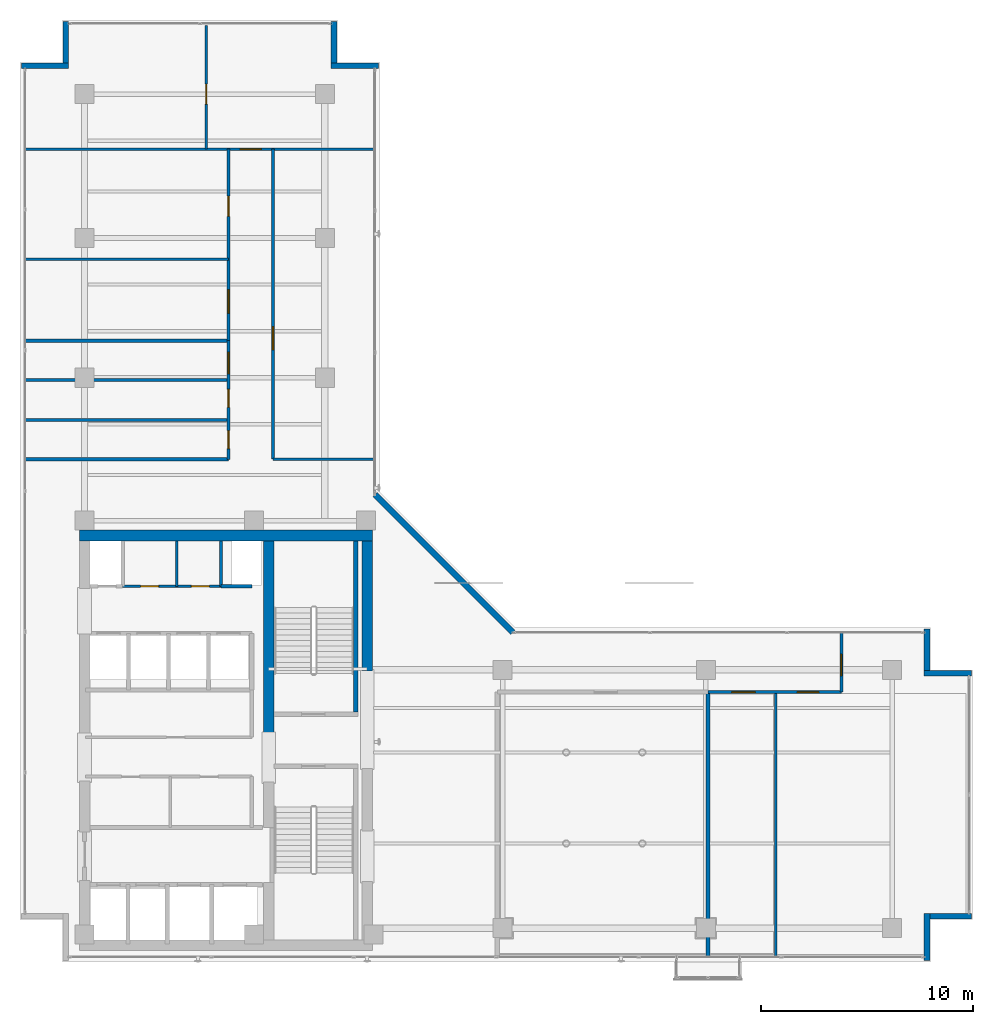
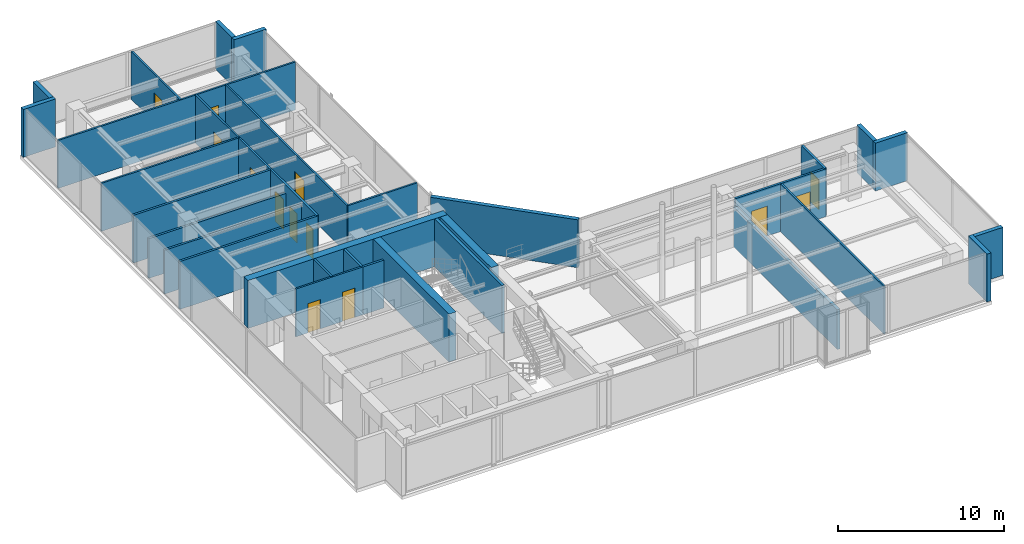
# One storey, part 26 of 32: 32 walls, 13 doors, 13 openings.
"""IFC4 building model written with IfcOpenShell, lengths in metres."""

from ifc_helpers import new_model, si_unit, direction, frame, frame_2d, origin, place, context, subcontext, project, spatial, rectangle, extrude, material, layer, layer_set, type_object, element, fill, save


model = new_model("IFC4")

# Units and contexts
model_context = context("Model", 3, precision=1e-05, world=origin(), true_north=direction((0.0, 1.0)))
body_context = subcontext(model_context, "Body", "Model", "MODEL_VIEW")
ifc_project = project(units=[si_unit("LENGTHUNIT", "METRE"), si_unit("AREAUNIT", "SQUARE_METRE"), si_unit("VOLUMEUNIT", "CUBIC_METRE"), si_unit("PLANEANGLEUNIT", "RADIAN"), si_unit("MASSUNIT", "GRAM", prefix="KILO")], contexts=[model_context])

# Site, building, storey
site_placement = place(None, origin())
site = spatial("IfcSite", under=ifc_project, at=site_placement, CompositionType="ELEMENT")
building_placement = place(site_placement, origin())
building = spatial("IfcBuilding", under=site, at=building_placement, Name="Kolvaren Waterfront Exchange", CompositionType="ELEMENT")
storey_placement = place(building_placement, frame((0.0, 0.0, 348.10009765625)))
storey = spatial("IfcBuildingStorey", under=building, at=storey_placement, Name="L89", CompositionType="ELEMENT", Elevation=348.10009765625)

# Walls
ifc_material_1 = material(Name="Precast concrete C40/50", Category="concrete")
ifc_layer_1 = layer(ifc_material_1, 0.280029296875, Name="Precast concrete C40/50")
ifc_layer_set_1 = layer_set([ifc_layer_1], Name="Precast concrete C40/50")
wall_type_1 = type_object("IfcWallType", Name="ARC-EXT-TERR-280", PredefinedType="SOLIDWALL", material=ifc_layer_set_1)
wall_1_placement = place(storey_placement, frame((47.239990234375, 3.659912109375, 0.0), z_axis=(0.0, 0.0, 1.0), x_axis=(0.0, 1.0, 0.0)))
element("IfcWall", 1, at=wall_1_placement, inside=storey, type_object=wall_type_1, Name="L89 notched corner spandrel pier SE-A", PredefinedType="SOLIDWALL", context=body_context, shape_type="SweptSolid", body=[
    extrude(rectangle(XDim=2.239990234375, YDim=0.280029296875, at=frame_2d((1.1201171875, 0.0))), origin(), (0.0, 0.0, 1.0), 3.52001953125),
])
wall_2_placement = place(storey_placement, frame((47.3798828125, 5.760009765625, 0.0), z_axis=(0.0, 0.0, 1.0), x_axis=(1.0, 0.0, 0.0)))
element("IfcWall", 2, at=wall_2_placement, inside=storey, type_object=wall_type_1, Name="L89 notched corner spandrel pier SE-B", PredefinedType="SOLIDWALL", context=body_context, shape_type="SweptSolid", body=[
    extrude(rectangle(XDim=1.960205078125, YDim=0.280029296875, at=frame_2d((0.97998046875, 0.0))), origin(), (0.0, 0.0, 1.0), 3.52001953125),
])
wall_3_placement = place(storey_placement, frame((47.239990234375, 17.364990234375, 0.0), z_axis=(0.0, 0.0, 1.0), x_axis=(0.0, 1.0, 0.0)))
element("IfcWall", 3, at=wall_3_placement, inside=storey, type_object=wall_type_1, Name="L89 notched corner spandrel pier ENE-A", PredefinedType="SOLIDWALL", context=body_context, shape_type="SweptSolid", body=[
    extrude(rectangle(XDim=1.97509765625, YDim=0.280029296875, at=frame_2d((0.987548828125, 0.0))), origin(), (0.0, 0.0, 1.0), 3.52001953125),
])
for number, where, z_axis, x_axis, name in (
    (4, (47.10009765625, 17.239990234375, 0.0), (0.0, 0.0, 1.0), (1.0, 0.0, 0.0), "L89 notched corner spandrel pier ENE-B"),
    (5, (19.10009765625, 45.93994140625, 0.0), (0.0, 0.0, 1.0), (1.0, 0.0, 0.0), "L89 notched corner spandrel pier NNE-A"),
):
    element("IfcWall", number, at=place(storey_placement, frame(where, z_axis=z_axis, x_axis=x_axis)), inside=storey, type_object=wall_type_1, Name=name, PredefinedType="SOLIDWALL", context=body_context, shape_type="SweptSolid", body=[
        extrude(rectangle(XDim=2.239990234375, YDim=0.280029296875, at=frame_2d((1.1201171875, 0.0))), origin(), (0.0, 0.0, 1.0), 3.52001953125),
    ])
wall_4_placement = place(storey_placement, frame((19.239990234375, 46.080078125, 0.0), z_axis=(0.0, 0.0, 1.0), x_axis=(0.0, 1.0, 0.0)))
element("IfcWall", 6, at=wall_4_placement, inside=storey, type_object=wall_type_1, Name="L89 notched corner spandrel pier NNE-B", PredefinedType="SOLIDWALL", context=body_context, shape_type="SweptSolid", body=[
    extrude(rectangle(XDim=1.9599609375, YDim=0.280029296875, at=frame_2d((0.97998046875, 0.0))), origin(), (0.0, 0.0, 1.0), 3.52001953125),
])
wall_5_placement = place(storey_placement, frame((4.4599609375, 45.93994140625, 0.0), z_axis=(0.0, 0.0, 1.0), x_axis=(1.0, 0.0, 0.0)))
element("IfcWall", 7, at=wall_5_placement, inside=storey, type_object=wall_type_1, Name="L89 notched corner spandrel pier NW-A", PredefinedType="SOLIDWALL", context=body_context, shape_type="SweptSolid", body=[
    extrude(rectangle(XDim=2.239990234375, YDim=0.280029296875, at=frame_2d((1.1201171875, 0.0))), origin(), (0.0, 0.0, 1.0), 3.52001953125),
])
wall_6_placement = place(storey_placement, frame((6.56005859375, 46.080078125, 0.0), z_axis=(0.0, 0.0, 1.0), x_axis=(0.0, 1.0, 0.0)))
element("IfcWall", 8, at=wall_6_placement, inside=storey, type_object=wall_type_1, Name="L89 notched corner spandrel pier NW-B", PredefinedType="SOLIDWALL", context=body_context, shape_type="SweptSolid", body=[
    extrude(rectangle(XDim=1.9599609375, YDim=0.280029296875, at=frame_2d((0.97998046875, 0.0))), origin(), (0.0, 0.0, 1.0), 3.52001953125),
])
wall_7_placement = place(storey_placement, frame((27.68505859375, 19.175048828125, 0.0), z_axis=(0.0, 0.0, 1.0), x_axis=(-0.707106781187, 0.707106781187, 0.0)))
element("IfcWall", 9, at=wall_7_placement, inside=storey, type_object=wall_type_1, Name="L89 notched corner spandrel pier ELBOW", PredefinedType="SOLIDWALL", context=body_context, shape_type="SweptSolid", body=[
    extrude(rectangle(XDim=9.20654296875, YDim=0.280029296875, at=frame_2d((4.603271484375, 0.0))), origin(), (0.0, 0.0, 1.0), 3.52001953125),
])
ifc_layer_2 = layer(ifc_material_1, 0.199951171875, Name="Precast concrete C40/50")
ifc_layer_set_2 = layer_set([ifc_layer_2], Name="Precast concrete C40/50")
wall_type_2 = type_object("IfcWallType", Name="ARC-FIRE-200", PredefinedType="PARTITIONING", material=ifc_layer_set_2)
wall_8_placement = place(storey_placement, frame((36.89990234375, 3.85009765625, 0.0), z_axis=(0.0, 0.0, 1.0), x_axis=(0.0, 1.0, 0.0)))
element("IfcWall", 10, at=wall_8_placement, inside=storey, type_object=wall_type_2, Name="L89 interior wall PW-L89-TMD-E", PredefinedType="PARTITIONING", context=body_context, shape_type="SweptSolid", body=[
    extrude(rectangle(XDim=12.5, YDim=0.199951171875, at=frame_2d((6.25, 0.0))), origin(), (0.0, 0.0, 1.0), 2.919921875),
])

# Wall, openings, doors
ifc_material_2 = material(Name="Acoustic gypsum steel stud", Category="steel")
ifc_layer_3 = layer(ifc_material_2, 0.125, Name="Acoustic gypsum steel stud")
ifc_layer_set_3 = layer_set([ifc_layer_3], Name="Acoustic gypsum steel stud")
wall_type_3 = type_object("IfcWallType", Name="ARC-PART-125", PredefinedType="PARTITIONING", material=ifc_layer_set_3)
wall_9_placement = place(storey_placement, frame((9.25, 21.35009765625, 0.0), z_axis=(0.0, 0.0, 1.0), x_axis=(1.0, 0.0, 0.0)))
wall_9 = element("IfcWall", 11, at=wall_9_placement, inside=storey, type_object=wall_type_3, Name="L89 interior wall PW-L89-SVC-HI-S", PredefinedType="PARTITIONING", context=body_context, shape_type="SweptSolid", body=[
    extrude(rectangle(XDim=4.64990234375, YDim=0.125, at=frame_2d((2.324951171875, 0.0))), origin(), (0.0, 0.0, 1.0), 3.52001953125),
])
opening_1_placement = place(wall_9_placement, frame((0.85009765625, 0.0, 0.0)))
opening_1 = element("IfcOpeningElement", 12, at=opening_1_placement, cuts=wall_9, Name="Opening D01", PredefinedType="OPENING", context=body_context, shape_type="SweptSolid", body=[
    extrude(rectangle(XDim=0.85009765625, YDim=2.14990234375, at=frame_2d((0.425048828125, 1.074951171875))), frame((0.0, 0.072509765625, 0.0), z_axis=(0.0, -1.0, 0.0), x_axis=(1.0, 0.0, 0.0)), (0.0, 0.0, 1.0), 0.14501953125),
])
opening_2_placement = place(wall_9_placement, frame((3.25, 0.0, 0.0)))
opening_2 = element("IfcOpeningElement", 13, at=opening_2_placement, cuts=wall_9, Name="Opening D01", PredefinedType="OPENING", context=body_context, shape_type="SweptSolid", body=[
    extrude(rectangle(XDim=0.85009765625, YDim=2.14990234375, at=frame_2d((0.425048828125, 1.074951171875))), frame((0.0, 0.072509765625, 0.0), z_axis=(0.0, -1.0, 0.0), x_axis=(1.0, 0.0, 0.0)), (0.0, 0.0, 1.0), 0.14501953125),
])
ifc_material_3 = material(Name="Oak veneer timber leaf", Category="wood")
door_type_1 = type_object("IfcDoorType", Name="ARC-DR-900", OperationType="NOTDEFINED", PredefinedType="DOOR", material=ifc_material_3)
door_1_placement = place(opening_1_placement, origin())
door_1 = element("IfcDoor", 14, at=door_1_placement, inside=storey, type_object=door_type_1, Name="L89 door DR-L89-SVC-DR-1 (D01)", OperationType="SINGLE_SWING_LEFT", OverallHeight=2.14990234375, OverallWidth=0.85009765625, PredefinedType="DOOR", context=body_context, shape_type="SweptSolid", body=[
    extrude(rectangle(XDim=0.85009765625, YDim=2.14990234375, at=frame_2d((0.425048828125, 1.074951171875))), frame((0.0, 0.02490234375, 0.0), z_axis=(0.0, -1.0, 0.0), x_axis=(1.0, 0.0, 0.0)), (0.0, 0.0, 1.0), 0.050048828125),
])
fill(opening_1, door_1)
door_2_placement = place(opening_2_placement, origin())
door_2 = element("IfcDoor", 15, at=door_2_placement, inside=storey, type_object=door_type_1, Name="L89 door DR-L89-SVC-DR-2 (D01)", OperationType="SINGLE_SWING_RIGHT", OverallHeight=2.14990234375, OverallWidth=0.85009765625, PredefinedType="DOOR", context=body_context, shape_type="SweptSolid", body=[
    extrude(rectangle(XDim=0.85009765625, YDim=2.14990234375, at=frame_2d((0.425048828125, 1.074951171875))), frame((0.0, 0.02490234375, 0.0), z_axis=(0.0, -1.0, 0.0), x_axis=(1.0, 0.0, 0.0)), (0.0, 0.0, 1.0), 0.050048828125),
])
fill(opening_2, door_2)

# Walls
wall_10_placement = place(storey_placement, frame((11.800048828125, 21.35009765625, 0.0), z_axis=(0.0, 0.0, 1.0), x_axis=(0.0, 1.0, 0.0)))
element("IfcWall", 16, at=wall_10_placement, inside=storey, type_object=wall_type_3, Name="L89 interior wall PW-L89-SVC-HI-M", PredefinedType="PARTITIONING", context=body_context, shape_type="SweptSolid", body=[
    extrude(rectangle(XDim=2.1298828125, YDim=0.125, at=frame_2d((1.06494140625, 0.0))), origin(), (0.0, 0.0, 1.0), 3.52001953125),
])
wall_11_placement = place(storey_placement, frame((40.10009765625, 3.85009765625, 0.0), z_axis=(0.0, 0.0, 1.0), x_axis=(0.0, 1.0, 0.0)))
element("IfcWall", 17, at=wall_11_placement, inside=storey, type_object=wall_type_3, Name="L89 interior wall PW-L89-CR-EB89", PredefinedType="PARTITIONING", context=body_context, shape_type="SweptSolid", body=[
    extrude(rectangle(XDim=12.5, YDim=0.125, at=frame_2d((6.25, 0.0))), origin(), (0.0, 0.0, 1.0), 3.52001953125),
])

# Wall, openings, doors
wall_12_placement = place(storey_placement, frame((14.25, 32.949951171875, 0.0), z_axis=(0.0, 0.0, 1.0), x_axis=(0.0, 1.0, 0.0)))
wall_12 = element("IfcWall", 18, at=wall_12_placement, inside=storey, type_object=wall_type_3, Name="L89 interior wall PW-L89-CR-MEM-E", PredefinedType="PARTITIONING", context=body_context, shape_type="SweptSolid", body=[
    extrude(rectangle(XDim=9.050048828125, YDim=0.125, at=frame_2d((4.52490234375, 0.0))), origin(), (0.0, 0.0, 1.0), 3.52001953125),
])
opening_3_placement = place(wall_12_placement, frame((1.3037109375, 0.0, 0.0)))
opening_3 = element("IfcOpeningElement", 19, at=opening_3_placement, cuts=wall_12, Name="Opening D04", PredefinedType="OPENING", context=body_context, shape_type="SweptSolid", body=[
    extrude(rectangle(XDim=1.10009765625, YDim=2.199951171875, at=frame_2d((0.550048828125, 1.10009765625))), frame((0.0, 0.072509765625, 0.0), z_axis=(0.0, -1.0, 0.0), x_axis=(1.0, 0.0, 0.0)), (0.0, 0.0, 1.0), 0.14501953125),
])
opening_4_placement = place(wall_12_placement, frame((5.87841796875, 0.0, 0.0)))
opening_4 = element("IfcOpeningElement", 20, at=opening_4_placement, cuts=wall_12, Name="Opening D02", PredefinedType="OPENING", context=body_context, shape_type="SweptSolid", body=[
    extrude(rectangle(XDim=0.949951171875, YDim=2.14990234375, at=frame_2d((0.47509765625, 1.074951171875))), frame((0.0, 0.072509765625, 0.0), z_axis=(0.0, -1.0, 0.0), x_axis=(1.0, 0.0, 0.0)), (0.0, 0.0, 1.0), 0.14501953125),
])
ifc_material_4 = material(Name="Anodised bronze framed glass", Category="aluminium")
door_type_2 = type_object("IfcDoorType", Name="ARC-DR-1100", OperationType="NOTDEFINED", PredefinedType="DOOR", material=ifc_material_4)
door_3_placement = place(opening_3_placement, origin())
door_3 = element("IfcDoor", 21, at=door_3_placement, inside=storey, type_object=door_type_2, Name="L89 door DR-L89-CM1-D (D04)", OperationType="SINGLE_SWING_RIGHT", OverallHeight=2.199951171875, OverallWidth=1.10009765625, PredefinedType="DOOR", context=body_context, shape_type="SweptSolid", body=[
    extrude(rectangle(XDim=1.10009765625, YDim=2.199951171875, at=frame_2d((0.550048828125, 1.10009765625))), frame((0.0, 0.02490234375, 0.0), z_axis=(0.0, -1.0, 0.0), x_axis=(1.0, 0.0, 0.0)), (0.0, 0.0, 1.0), 0.050048828125),
])
fill(opening_3, door_3)
ifc_material_5 = material(Name="Oak veneer acoustic timber", Category="wood")
door_type_3 = type_object("IfcDoorType", Name="ARC-DR-950", OperationType="NOTDEFINED", PredefinedType="DOOR", material=ifc_material_5)
door_4_placement = place(opening_4_placement, origin())
door_4 = element("IfcDoor", 22, at=door_4_placement, inside=storey, type_object=door_type_3, Name="L89 door DR-L89-CMP-D (D02)", OperationType="SINGLE_SWING_LEFT", OverallHeight=2.14990234375, OverallWidth=0.949951171875, PredefinedType="DOOR", context=body_context, shape_type="SweptSolid", body=[
    extrude(rectangle(XDim=0.949951171875, YDim=2.14990234375, at=frame_2d((0.47509765625, 1.074951171875))), frame((0.0, 0.02490234375, 0.0), z_axis=(0.0, -1.0, 0.0), x_axis=(1.0, 0.0, 0.0)), (0.0, 0.0, 1.0), 0.050048828125),
])
fill(opening_4, door_4)

# Wall
wall_13_placement = place(storey_placement, frame((4.64990234375, 36.800048828125, 0.0), z_axis=(0.0, 0.0, 1.0), x_axis=(1.0, 0.0, 0.0)))
element("IfcWall", 23, at=wall_13_placement, inside=storey, type_object=wall_type_3, Name="L89 interior wall PW-L89-CR-MEM-MID", PredefinedType="PARTITIONING", context=body_context, shape_type="SweptSolid", body=[
    extrude(rectangle(XDim=9.60009765625, YDim=0.125, at=frame_2d((4.800048828125, 0.0))), origin(), (0.0, 0.0, 1.0), 3.52001953125),
])

# Wall, opening, door
wall_14_placement = place(storey_placement, frame((4.64990234375, 42.0, 0.0), z_axis=(0.0, 0.0, 1.0), x_axis=(1.0, 0.0, 0.0)))
wall_14 = element("IfcWall", 24, at=wall_14_placement, inside=storey, type_object=wall_type_3, Name="L89 interior wall PW-L89-CR-MEM-TOP", PredefinedType="PARTITIONING", context=body_context, shape_type="SweptSolid", body=[
    extrude(rectangle(XDim=16.5, YDim=0.125, at=frame_2d((8.25, 0.0))), origin(), (0.0, 0.0, 1.0), 3.52001953125),
])
opening_5_placement = place(wall_14_placement, frame((10.14990234375, 0.0, 0.0)))
opening_5 = element("IfcOpeningElement", 25, at=opening_5_placement, cuts=wall_14, Name="Opening D03", PredefinedType="OPENING", context=body_context, shape_type="SweptSolid", body=[
    extrude(rectangle(XDim=1.0, YDim=2.199951171875, at=frame_2d((0.5, 1.10009765625))), frame((0.0, 0.072509765625, 0.0), z_axis=(0.0, -1.0, 0.0), x_axis=(1.0, 0.0, 0.0)), (0.0, 0.0, 1.0), 0.14501953125),
])
ifc_material_6 = material(Name="Oak veneer accessible timber", Category="wood")
door_type_4 = type_object("IfcDoorType", Name="ARC-DR-1000", OperationType="NOTDEFINED", PredefinedType="DOOR", material=ifc_material_6)
door_5_placement = place(opening_5_placement, origin())
door_5 = element("IfcDoor", 26, at=door_5_placement, inside=storey, type_object=door_type_4, Name="L89 door DR-L89-CRNT-D (D03)", OperationType="SINGLE_SWING_RIGHT", OverallHeight=2.199951171875, OverallWidth=1.0, PredefinedType="DOOR", context=body_context, shape_type="SweptSolid", body=[
    extrude(rectangle(XDim=1.0, YDim=2.199951171875, at=frame_2d((0.5, 1.10009765625))), frame((0.0, 0.02490234375, 0.0), z_axis=(0.0, -1.0, 0.0), x_axis=(1.0, 0.0, 0.0)), (0.0, 0.0, 1.0), 0.050048828125),
])
fill(opening_5, door_5)

wall_15_placement = place(storey_placement, frame((13.199951171875, 42.0, 0.0), z_axis=(0.0, 0.0, 1.0), x_axis=(0.0, 1.0, 0.0)))
wall_15 = element("IfcWall", 27, at=wall_15_placement, inside=storey, type_object=wall_type_3, Name="L89 interior wall PW-L89-CR-NTIP-DIV", PredefinedType="PARTITIONING", context=body_context, shape_type="SweptSolid", body=[
    extrude(rectangle(XDim=5.85009765625, YDim=0.125, at=frame_2d((2.925048828125, 0.0))), origin(), (0.0, 0.0, 1.0), 3.52001953125),
])
opening_6_placement = place(wall_15_placement, frame((2.125, 0.0, 0.0)))
opening_6 = element("IfcOpeningElement", 28, at=opening_6_placement, cuts=wall_15, Name="Opening D02", PredefinedType="OPENING", context=body_context, shape_type="SweptSolid", body=[
    extrude(rectangle(XDim=0.949951171875, YDim=2.14990234375, at=frame_2d((0.47509765625, 1.074951171875))), frame((0.0, 0.072509765625, 0.0), z_axis=(0.0, -1.0, 0.0), x_axis=(1.0, 0.0, 0.0)), (0.0, 0.0, 1.0), 0.14501953125),
])
door_6_placement = place(opening_6_placement, origin())
door_6 = element("IfcDoor", 29, at=door_6_placement, inside=storey, type_object=door_type_3, Name="L89 door DR-L89-CRNTW-D (D02)", OperationType="SINGLE_SWING_LEFT", OverallHeight=2.14990234375, OverallWidth=0.949951171875, PredefinedType="DOOR", context=body_context, shape_type="SweptSolid", body=[
    extrude(rectangle(XDim=0.949951171875, YDim=2.14990234375, at=frame_2d((0.47509765625, 1.074951171875))), frame((0.0, 0.02490234375, 0.0), z_axis=(0.0, -1.0, 0.0), x_axis=(1.0, 0.0, 0.0)), (0.0, 0.0, 1.0), 0.050048828125),
])
fill(opening_6, door_6)

wall_16_placement = place(storey_placement, frame((16.35009765625, 27.35009765625, 0.0), z_axis=(0.0, 0.0, 1.0), x_axis=(0.0, 1.0, 0.0)))
wall_16 = element("IfcWall", 30, at=wall_16_placement, inside=storey, type_object=wall_type_3, Name="L89 interior wall PW-L89-CR-ELB-W", PredefinedType="PARTITIONING", context=body_context, shape_type="SweptSolid", body=[
    extrude(rectangle(XDim=14.64990234375, YDim=0.125, at=frame_2d((7.324951171875, 0.0))), origin(), (0.0, 0.0, 1.0), 3.52001953125),
])
opening_7_placement = place(wall_16_placement, frame((5.17041015625, 0.0, 0.0)))
opening_7 = element("IfcOpeningElement", 31, at=opening_7_placement, cuts=wall_16, Name="Opening D04", PredefinedType="OPENING", context=body_context, shape_type="SweptSolid", body=[
    extrude(rectangle(XDim=1.10009765625, YDim=2.199951171875, at=frame_2d((0.550048828125, 1.10009765625))), frame((0.0, 0.072509765625, 0.0), z_axis=(0.0, -1.0, 0.0), x_axis=(1.0, 0.0, 0.0)), (0.0, 0.0, 1.0), 0.14501953125),
])
door_7_placement = place(opening_7_placement, origin())
door_7 = element("IfcDoor", 32, at=door_7_placement, inside=storey, type_object=door_type_2, Name="L89 door DR-L89-CSE-D (D04)", OperationType="SINGLE_SWING_RIGHT", OverallHeight=2.199951171875, OverallWidth=1.10009765625, PredefinedType="DOOR", context=body_context, shape_type="SweptSolid", body=[
    extrude(rectangle(XDim=1.10009765625, YDim=2.199951171875, at=frame_2d((0.550048828125, 1.10009765625))), frame((0.0, 0.02490234375, 0.0), z_axis=(0.0, -1.0, 0.0), x_axis=(1.0, 0.0, 0.0)), (0.0, 0.0, 1.0), 0.050048828125),
])
fill(opening_7, door_7)

# Walls
wall_17_placement = place(storey_placement, frame((16.35009765625, 27.35009765625, 0.0), z_axis=(0.0, 0.0, 1.0), x_axis=(1.0, 0.0, 0.0)))
element("IfcWall", 33, at=wall_17_placement, inside=storey, type_object=wall_type_3, Name="L89 interior wall PW-L89-CR-ELB-S", PredefinedType="PARTITIONING", context=body_context, shape_type="SweptSolid", body=[
    extrude(rectangle(XDim=4.7998046875, YDim=0.125, at=frame_2d((2.39990234375, 0.0))), origin(), (0.0, 0.0, 1.0), 3.52001953125),
])
ifc_material_7 = material(Name="Gypsum fireboard steel stud", Category="steel")
ifc_layer_4 = layer(ifc_material_7, 0.14990234375, Name="Gypsum fireboard steel stud")
ifc_layer_set_4 = layer_set([ifc_layer_4], Name="Gypsum fireboard steel stud")
wall_type_4 = type_object("IfcWallType", Name="ARC-PART-150", PredefinedType="PARTITIONING", material=ifc_layer_set_4)
wall_18_placement = place(storey_placement, frame((13.89990234375, 21.35009765625, 0.0), z_axis=(0.0, 0.0, 1.0), x_axis=(0.0, 1.0, 0.0)))
element("IfcWall", 34, at=wall_18_placement, inside=storey, type_object=wall_type_4, Name="L89 interior wall PW-L89-SVC-R2", PredefinedType="PARTITIONING", context=body_context, shape_type="SweptSolid", body=[
    extrude(rectangle(XDim=2.1298828125, YDim=0.14990234375, at=frame_2d((1.06494140625, 0.0))), origin(), (0.0, 0.0, 1.0), 3.52001953125),
])
wall_19_placement = place(storey_placement, frame((13.89990234375, 21.35009765625, 0.0), z_axis=(0.0, 0.0, 1.0), x_axis=(1.0, 0.0, 0.0)))
element("IfcWall", 35, at=wall_19_placement, inside=storey, type_object=wall_type_4, Name="L89 interior wall PW-L89-SVC-RP-S", PredefinedType="PARTITIONING", context=body_context, shape_type="SweptSolid", body=[
    extrude(rectangle(XDim=1.4501953125, YDim=0.14990234375, at=frame_2d((0.72509765625, 0.0))), origin(), (0.0, 0.0, 1.0), 3.52001953125),
])

# Wall, openings, doors
wall_20_placement = place(storey_placement, frame((36.89990234375, 16.35009765625, 0.0), z_axis=(0.0, 0.0, 1.0), x_axis=(1.0, 0.0, 0.0)))
wall_20 = element("IfcWall", 36, at=wall_20_placement, inside=storey, type_object=wall_type_4, Name="L89 interior wall PW-L89-CR-CORR-S", PredefinedType="PARTITIONING", context=body_context, shape_type="SweptSolid", body=[
    extrude(rectangle(XDim=6.300048828125, YDim=0.14990234375, at=frame_2d((3.14990234375, 0.0))), origin(), (0.0, 0.0, 1.0), 3.52001953125),
])
opening_8_placement = place(wall_20_placement, frame((1.128662109375, 0.0, 0.0)))
opening_8 = element("IfcOpeningElement", 37, at=opening_8_placement, cuts=wall_20, Name="Opening D04", PredefinedType="OPENING", context=body_context, shape_type="SweptSolid", body=[
    extrude(rectangle(XDim=1.10009765625, YDim=2.199951171875, at=frame_2d((0.550048828125, 1.10009765625))), frame((0.0, 0.0849609375, 0.0), z_axis=(0.0, -1.0, 0.0), x_axis=(1.0, 0.0, 0.0)), (0.0, 0.0, 1.0), 0.169921875),
])
opening_9_placement = place(wall_20_placement, frame((4.22509765625, 0.0, 0.0)))
opening_9 = element("IfcOpeningElement", 38, at=opening_9_placement, cuts=wall_20, Name="Opening D03", PredefinedType="OPENING", context=body_context, shape_type="SweptSolid", body=[
    extrude(rectangle(XDim=1.0, YDim=2.199951171875, at=frame_2d((0.5, 1.10009765625))), frame((0.0, 0.0849609375, 0.0), z_axis=(0.0, -1.0, 0.0), x_axis=(1.0, 0.0, 0.0)), (0.0, 0.0, 1.0), 0.169921875),
])
door_8_placement = place(opening_9_placement, origin())
door_8 = element("IfcDoor", 39, at=door_8_placement, inside=storey, type_object=door_type_4, Name="L89 door DR-L89-CRL1B-D (D03)", OperationType="SINGLE_SWING_LEFT", OverallHeight=2.199951171875, OverallWidth=1.0, PredefinedType="DOOR", context=body_context, shape_type="SweptSolid", body=[
    extrude(rectangle(XDim=1.0, YDim=2.199951171875, at=frame_2d((0.5, 1.10009765625))), frame((0.0, 0.02490234375, 0.0), z_axis=(0.0, -1.0, 0.0), x_axis=(1.0, 0.0, 0.0)), (0.0, 0.0, 1.0), 0.050048828125),
])
fill(opening_9, door_8)
door_9_placement = place(opening_8_placement, origin())
door_9 = element("IfcDoor", 40, at=door_9_placement, inside=storey, type_object=door_type_2, Name="L89 door DR-L89-CRL1-D (D04)", OperationType="SINGLE_SWING_RIGHT", OverallHeight=2.199951171875, OverallWidth=1.10009765625, PredefinedType="DOOR", context=body_context, shape_type="SweptSolid", body=[
    extrude(rectangle(XDim=1.10009765625, YDim=2.199951171875, at=frame_2d((0.550048828125, 1.10009765625))), frame((0.0, 0.02490234375, 0.0), z_axis=(0.0, -1.0, 0.0), x_axis=(1.0, 0.0, 0.0)), (0.0, 0.0, 1.0), 0.050048828125),
])
fill(opening_8, door_9)

# Wall, opening, door
wall_21_placement = place(storey_placement, frame((43.199951171875, 16.35009765625, 0.0), z_axis=(0.0, 0.0, 1.0), x_axis=(0.0, 1.0, 0.0)))
wall_21 = element("IfcWall", 41, at=wall_21_placement, inside=storey, type_object=wall_type_4, Name="L89 interior wall PW-L89-CR-CORR-E", PredefinedType="PARTITIONING", context=body_context, shape_type="SweptSolid", body=[
    extrude(rectangle(XDim=2.7998046875, YDim=0.14990234375, at=frame_2d((1.39990234375, 0.0))), origin(), (0.0, 0.0, 1.0), 3.52001953125),
])
opening_10_placement = place(wall_21_placement, frame((0.780029296875, 0.0, 0.0)))
opening_10 = element("IfcOpeningElement", 42, at=opening_10_placement, cuts=wall_21, Name="Opening D03", PredefinedType="OPENING", context=body_context, shape_type="SweptSolid", body=[
    extrude(rectangle(XDim=1.0, YDim=2.199951171875, at=frame_2d((0.5, 1.10009765625))), frame((0.0, 0.0849609375, 0.0), z_axis=(0.0, -1.0, 0.0), x_axis=(1.0, 0.0, 0.0)), (0.0, 0.0, 1.0), 0.169921875),
])
door_10_placement = place(opening_10_placement, origin())
door_10 = element("IfcDoor", 43, at=door_10_placement, inside=storey, type_object=door_type_4, Name="L89 door DR-L89-CRL2-D (D03)", OperationType="SINGLE_SWING_RIGHT", OverallHeight=2.199951171875, OverallWidth=1.0, PredefinedType="DOOR", context=body_context, shape_type="SweptSolid", body=[
    extrude(rectangle(XDim=1.0, YDim=2.199951171875, at=frame_2d((0.5, 1.10009765625))), frame((0.0, 0.02490234375, 0.0), z_axis=(0.0, -1.0, 0.0), x_axis=(1.0, 0.0, 0.0)), (0.0, 0.0, 1.0), 0.050048828125),
])
fill(opening_10, door_10)

# Wall
ifc_material_8 = material(Name="Moisture-resistant gypsum stud")
ifc_layer_5 = layer(ifc_material_8, 0.14990234375, Name="Moisture-resistant gypsum stud")
ifc_layer_set_5 = layer_set([ifc_layer_5], Name="Moisture-resistant gypsum stud")
wall_type_5 = type_object("IfcWallType", Name="ARC-PLUMB-150", PredefinedType="PLUMBINGWALL", material=ifc_layer_set_5)
wall_22_placement = place(storey_placement, frame((4.64990234375, 27.35009765625, 0.0), z_axis=(0.0, 0.0, 1.0), x_axis=(1.0, 0.0, 0.0)))
element("IfcWall", 44, at=wall_22_placement, inside=storey, type_object=wall_type_5, Name="L89 interior wall PW-L89-CR-WC0", PredefinedType="PLUMBINGWALL", context=body_context, shape_type="SweptSolid", body=[
    extrude(rectangle(XDim=9.60009765625, YDim=0.14990234375, at=frame_2d((4.800048828125, 0.0))), origin(), (0.0, 0.0, 1.0), 3.52001953125),
])

# Wall, openings, doors
wall_23_placement = place(storey_placement, frame((14.25, 27.35009765625, 0.0), z_axis=(0.0, 0.0, 1.0), x_axis=(0.0, 1.0, 0.0)))
wall_23 = element("IfcWall", 45, at=wall_23_placement, inside=storey, type_object=wall_type_5, Name="L89 interior wall PW-L89-CR-WC-E", PredefinedType="PLUMBINGWALL", context=body_context, shape_type="SweptSolid", body=[
    extrude(rectangle(XDim=5.599853515625, YDim=0.14990234375, at=frame_2d((2.7998046875, 0.0))), origin(), (0.0, 0.0, 1.0), 3.52001953125),
])
opening_11_placement = place(wall_23_placement, frame((0.5, 0.0, 0.0)))
opening_11 = element("IfcOpeningElement", 46, at=opening_11_placement, cuts=wall_23, Name="Opening D01", PredefinedType="OPENING", context=body_context, shape_type="SweptSolid", body=[
    extrude(rectangle(XDim=0.85009765625, YDim=2.14990234375, at=frame_2d((0.425048828125, 1.074951171875))), frame((0.0, 0.0849609375, 0.0), z_axis=(0.0, -1.0, 0.0), x_axis=(1.0, 0.0, 0.0)), (0.0, 0.0, 1.0), 0.169921875),
])
opening_12_placement = place(wall_23_placement, frame((2.449951171875, 0.0, 0.0)))
opening_12 = element("IfcOpeningElement", 47, at=opening_12_placement, cuts=wall_23, Name="Opening D01", PredefinedType="OPENING", context=body_context, shape_type="SweptSolid", body=[
    extrude(rectangle(XDim=0.85009765625, YDim=2.14990234375, at=frame_2d((0.425048828125, 1.074951171875))), frame((0.0, 0.0849609375, 0.0), z_axis=(0.0, -1.0, 0.0), x_axis=(1.0, 0.0, 0.0)), (0.0, 0.0, 1.0), 0.169921875),
])
opening_13_placement = place(wall_23_placement, frame((4.050048828125, 0.0, 0.0)))
opening_13 = element("IfcOpeningElement", 48, at=opening_13_placement, cuts=wall_23, Name="Opening D03", PredefinedType="OPENING", context=body_context, shape_type="SweptSolid", body=[
    extrude(rectangle(XDim=1.0, YDim=2.199951171875, at=frame_2d((0.5, 1.10009765625))), frame((0.0, 0.0849609375, 0.0), z_axis=(0.0, -1.0, 0.0), x_axis=(1.0, 0.0, 0.0)), (0.0, 0.0, 1.0), 0.169921875),
])
door_11_placement = place(opening_13_placement, origin())
door_11 = element("IfcDoor", 49, at=door_11_placement, inside=storey, type_object=door_type_4, Name="L89 door DR-L89-CWCA-D (D03)", OperationType="SINGLE_SWING_LEFT", OverallHeight=2.199951171875, OverallWidth=1.0, PredefinedType="DOOR", context=body_context, shape_type="SweptSolid", body=[
    extrude(rectangle(XDim=1.0, YDim=2.199951171875, at=frame_2d((0.5, 1.10009765625))), frame((0.0, 0.02490234375, 0.0), z_axis=(0.0, -1.0, 0.0), x_axis=(1.0, 0.0, 0.0)), (0.0, 0.0, 1.0), 0.050048828125),
])
fill(opening_13, door_11)
door_12_placement = place(opening_11_placement, origin())
door_12 = element("IfcDoor", 50, at=door_12_placement, inside=storey, type_object=door_type_1, Name="L89 door DR-L89-CWCM-D (D01)", OperationType="SINGLE_SWING_LEFT", OverallHeight=2.14990234375, OverallWidth=0.85009765625, PredefinedType="DOOR", context=body_context, shape_type="SweptSolid", body=[
    extrude(rectangle(XDim=0.85009765625, YDim=2.14990234375, at=frame_2d((0.425048828125, 1.074951171875))), frame((0.0, 0.02490234375, 0.0), z_axis=(0.0, -1.0, 0.0), x_axis=(1.0, 0.0, 0.0)), (0.0, 0.0, 1.0), 0.050048828125),
])
fill(opening_11, door_12)
door_13_placement = place(opening_12_placement, origin())
door_13 = element("IfcDoor", 51, at=door_13_placement, inside=storey, type_object=door_type_1, Name="L89 door DR-L89-CWCF-D (D01)", OperationType="SINGLE_SWING_RIGHT", OverallHeight=2.14990234375, OverallWidth=0.85009765625, PredefinedType="DOOR", context=body_context, shape_type="SweptSolid", body=[
    extrude(rectangle(XDim=0.85009765625, YDim=2.14990234375, at=frame_2d((0.425048828125, 1.074951171875))), frame((0.0, 0.02490234375, 0.0), z_axis=(0.0, -1.0, 0.0), x_axis=(1.0, 0.0, 0.0)), (0.0, 0.0, 1.0), 0.050048828125),
])
fill(opening_12, door_13)

# Walls
wall_24_placement = place(storey_placement, frame((4.64990234375, 29.199951171875, 0.0), z_axis=(0.0, 0.0, 1.0), x_axis=(1.0, 0.0, 0.0)))
element("IfcWall", 52, at=wall_24_placement, inside=storey, type_object=wall_type_5, Name="L89 interior wall PW-L89-CR-WC1", PredefinedType="PLUMBINGWALL", context=body_context, shape_type="SweptSolid", body=[
    extrude(rectangle(XDim=9.60009765625, YDim=0.14990234375, at=frame_2d((4.800048828125, 0.0))), origin(), (0.0, 0.0, 1.0), 3.219970703125),
])
wall_25_placement = place(storey_placement, frame((4.64990234375, 31.10009765625, 0.0), z_axis=(0.0, 0.0, 1.0), x_axis=(1.0, 0.0, 0.0)))
element("IfcWall", 53, at=wall_25_placement, inside=storey, type_object=wall_type_5, Name="L89 interior wall PW-L89-CR-WC2", PredefinedType="PLUMBINGWALL", context=body_context, shape_type="SweptSolid", body=[
    extrude(rectangle(XDim=9.60009765625, YDim=0.14990234375, at=frame_2d((4.800048828125, 0.0))), origin(), (0.0, 0.0, 1.0), 2.919921875),
])
wall_26_placement = place(storey_placement, frame((4.64990234375, 32.949951171875, 0.0), z_axis=(0.0, 0.0, 1.0), x_axis=(1.0, 0.0, 0.0)))
element("IfcWall", 54, at=wall_26_placement, inside=storey, type_object=wall_type_5, Name="L89 interior wall PW-L89-CR-WC3", PredefinedType="PLUMBINGWALL", context=body_context, shape_type="SweptSolid", body=[
    extrude(rectangle(XDim=9.60009765625, YDim=0.14990234375, at=frame_2d((4.800048828125, 0.0))), origin(), (0.0, 0.0, 1.0), 3.52001953125),
])
ifc_material_9 = material(Name="Concrete C40/50", Category="concrete")
ifc_layer_6 = layer(ifc_material_9, 0.199951171875, Name="Concrete C40/50")
ifc_layer_set_6 = layer_set([ifc_layer_6], Name="Concrete C40/50")
wall_type_6 = type_object("IfcWallType", Name="ARC-SHAFT-200", PredefinedType="PARTITIONING", material=ifc_layer_set_6)
wall_27_placement = place(storey_placement, frame((20.260009765625, 15.39990234375, 0.0), z_axis=(0.0, 0.0, 1.0), x_axis=(0.0, 1.0, 0.0)))
element("IfcWall", 55, at=wall_27_placement, inside=storey, type_object=wall_type_6, Name="L89 structural stairwell wall PW-L89-ST2-E", PredefinedType="SHEAR", context=body_context, shape_type="SweptSolid", body=[
    extrude(rectangle(XDim=8.090087890625, YDim=0.199951171875, at=frame_2d((4.044921875, 0.0))), origin(), (0.0, 0.0, 1.0), 3.52001953125),
])
ifc_material_10 = material(Name="Concrete C50/60", Category="concrete")
ifc_layer_7 = layer(ifc_material_10, 0.5, Name="Concrete C50/60")
ifc_layer_set_7 = layer_set([ifc_layer_7], Name="Concrete C50/60")
wall_type_7 = type_object("IfcWallType", Name="STR-CWALL-500", PredefinedType="SHEAR", material=ifc_layer_set_7)
wall_28_placement = place(storey_placement, frame((7.199951171875, 23.75, 0.0), z_axis=(0.0, 0.0, 1.0), x_axis=(1.0, 0.0, 0.0)))
element("IfcWall", 56, at=wall_28_placement, inside=storey, type_object=wall_type_7, Name="L89 rear-core shear wall N", PredefinedType="SHEAR", context=body_context, shape_type="SweptSolid", body=[
    extrude(rectangle(XDim=13.85009765625, YDim=0.5, at=frame_2d((6.925048828125, 0.0))), origin(), (0.0, 0.0, 1.0), 3.52001953125),
])
wall_29_placement = place(storey_placement, frame((20.800048828125, 17.35009765625, 0.0), z_axis=(0.0, 0.0, 1.0), x_axis=(0.0, 1.0, 0.0)))
element("IfcWall", 57, at=wall_29_placement, inside=storey, type_object=wall_type_7, Name="L89 rear-core shear wall E3", PredefinedType="SHEAR", context=body_context, shape_type="SweptSolid", body=[
    extrude(rectangle(XDim=6.14990234375, YDim=0.5, at=frame_2d((3.074951171875, 0.0))), origin(), (0.0, 0.0, 1.0), 3.52001953125),
])
wall_30_placement = place(storey_placement, frame((16.14990234375, 14.39990234375, 0.0), z_axis=(0.0, 0.0, 1.0), x_axis=(0.0, 1.0, 0.0)))
element("IfcWall", 58, at=wall_30_placement, inside=storey, type_object=wall_type_7, Name="L89 rear-core shear wall M3", PredefinedType="SHEAR", context=body_context, shape_type="SweptSolid", body=[
    extrude(rectangle(XDim=9.10009765625, YDim=0.5, at=frame_2d((4.550048828125, 0.0))), origin(), (0.0, 0.0, 1.0), 3.52001953125),
])

save(model, "model.ifc")
